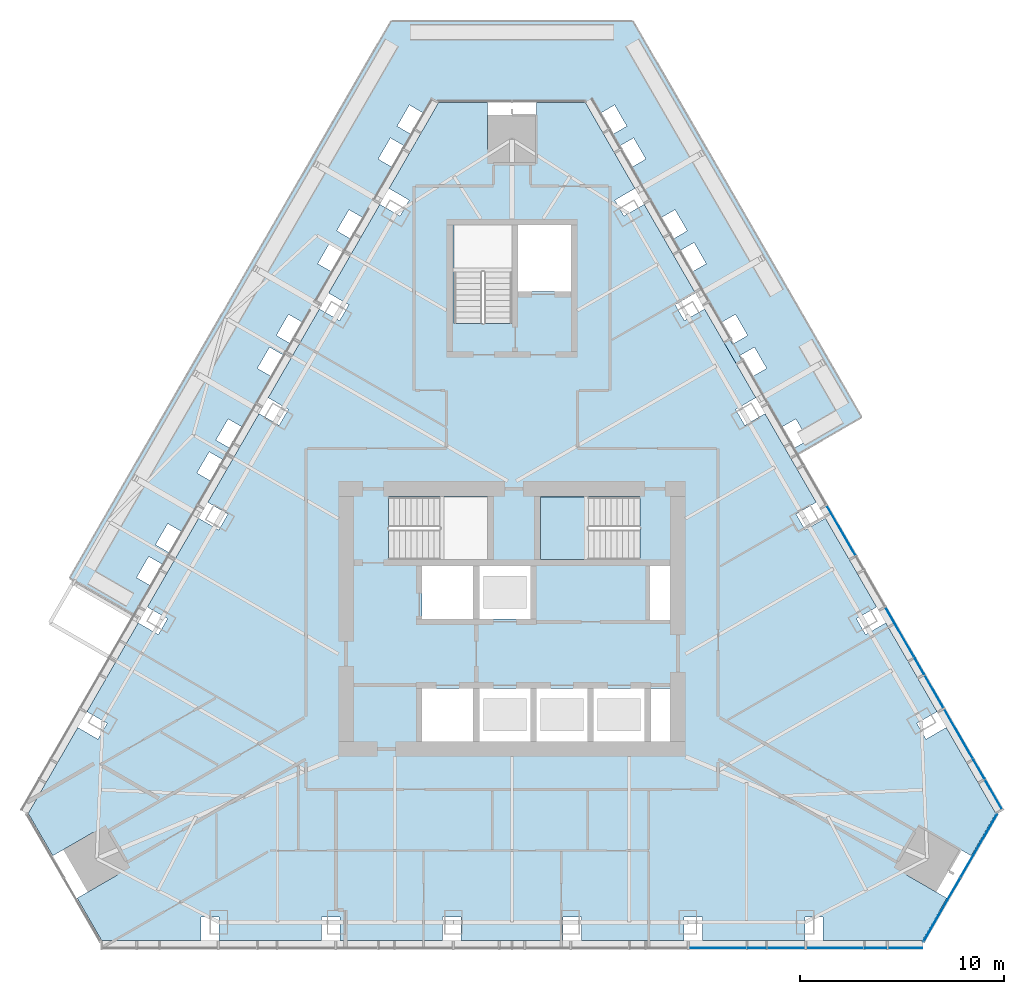
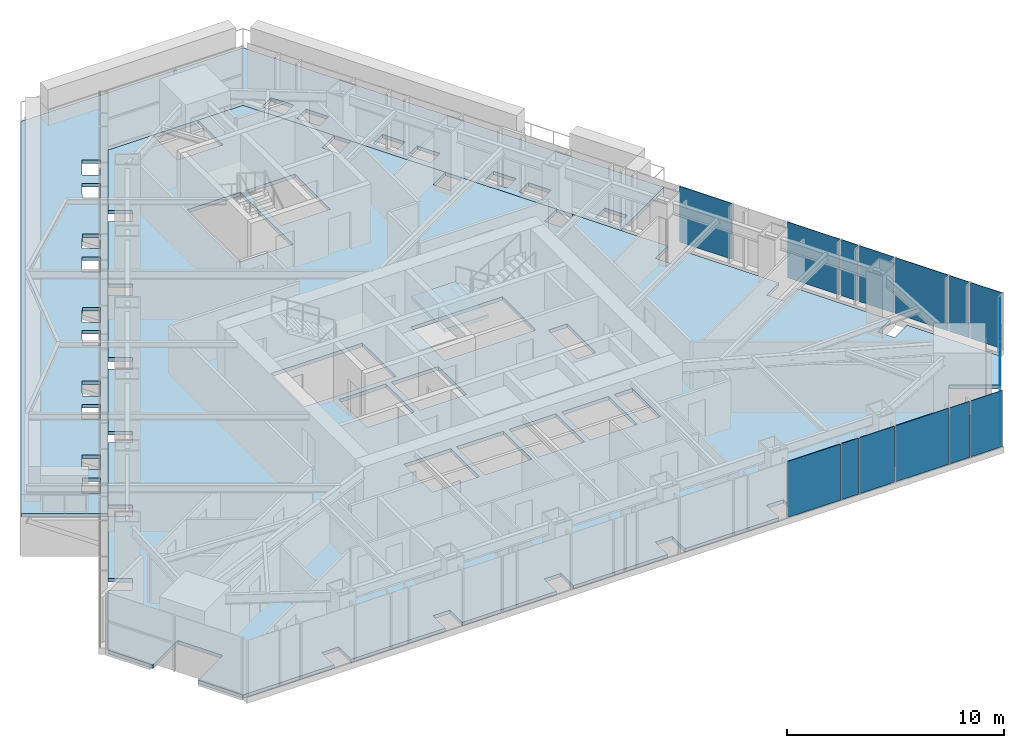
# One storey, part 8 of 16: 18 plates, 3 slabs, 4 elements without a shape of their own.
"""IFC4 building model written with IfcOpenShell, lengths in metres."""

from ifc_helpers import new_model, si_unit, direction, frame, origin, place, context, subcontext, project, spatial, polyline, outline, extrude, material, layer, layer_set, type_object, element, aggregate, save


model = new_model("IFC4")

# Units and contexts
model_context = context("Model", 3, precision=1e-05, world=origin(), true_north=direction((0.0, 1.0)))
body_context = subcontext(model_context, "Body", "Model", "MODEL_VIEW")
ifc_project = project(units=[si_unit("LENGTHUNIT", "METRE"), si_unit("AREAUNIT", "SQUARE_METRE"), si_unit("VOLUMEUNIT", "CUBIC_METRE"), si_unit("PLANEANGLEUNIT", "RADIAN"), si_unit("MASSUNIT", "GRAM", prefix="KILO")], contexts=[model_context])

# Site, building, storey
site_placement = place(None, origin())
site = spatial("IfcSite", under=ifc_project, at=site_placement, CompositionType="ELEMENT")
building_placement = place(site_placement, origin())
building = spatial("IfcBuilding", under=site, at=building_placement, Name="Firuza Gate Tower and Library", CompositionType="ELEMENT")
storey_placement = place(building_placement, frame((0.0, 0.0, 319.60009765625)))
storey = spatial("IfcBuildingStorey", under=building, at=storey_placement, Name="L78", CompositionType="ELEMENT", Elevation=319.60009765625)

# Slab
ifc_material_1 = material(Name="Concrete C40/50", Category="concrete")
ifc_layer_1 = layer(ifc_material_1, 0.199951171875)
ifc_layer_set_1 = layer_set([ifc_layer_1], Name="Composite floor slab 200 C40/50")
slab_type_1 = type_object("IfcSlabType", Name="Composite floor slab 200 C40/50", PredefinedType="FLOOR", material=ifc_layer_set_1)
placement_1 = place(storey_placement, frame((0.0, 0.0, -0.2001953125)))
element("IfcSlab", 1, at=placement_1, inside=storey, type_object=slab_type_1, Name="Floor slab L78", PredefinedType="FLOOR", context=body_context, shape_type="SweptSolid", body=[
    extrude(outline(polyline([(54.89599609375, 59.236083984375), (59.75, 59.236083984375), (59.75, 60.38037109375), (60.64990234375, 60.38037109375), (60.64990234375, 59.236083984375), (65.669921875, 59.236083984375), (65.669921875, 60.38037109375), (66.570068359375, 60.38037109375), (66.570068359375, 59.236083984375), (71.590087890625, 59.236083984375), (71.590087890625, 60.38037109375), (72.489990234375, 60.38037109375), (72.489990234375, 59.236083984375), (77.510009765625, 59.236083984375), (77.510009765625, 60.38037109375), (78.409912109375, 60.38037109375), (78.409912109375, 59.236083984375), (83.429931640625, 59.236083984375), (83.429931640625, 60.38037109375), (84.330078125, 60.38037109375), (84.330078125, 59.236083984375), (89.35009765625, 59.236083984375), (89.35009765625, 60.38037109375), (90.25, 60.38037109375), (90.25, 59.236083984375), (95.10400390625, 59.236083984375), (96.303955078125, 61.314453125), (94.322021484375, 62.458740234375), (95.52197265625, 64.537353515625), (97.50390625, 63.39306640625), (98.7041015625, 65.471435546875), (96.277099609375, 69.675048828125), (95.285888671875, 69.10302734375), (94.8359375, 69.88232421875), (95.826904296875, 70.45458984375), (93.31689453125, 74.802001953125), (92.325927734375, 74.229736328125), (91.8759765625, 75.00927734375), (92.866943359375, 75.581298828125), (90.35693359375, 79.928955078125), (89.365966796875, 79.356689453125), (88.916015625, 80.135986328125), (89.906982421875, 80.708251953125), (87.39697265625, 85.0556640625), (86.406005859375, 84.483642578125), (85.9560546875, 85.262939453125), (86.947021484375, 85.835205078125), (84.43701171875, 90.1826171875), (83.446044921875, 89.6103515625), (82.995849609375, 90.389892578125), (83.987060546875, 90.9619140625), (81.47705078125, 95.3095703125), (80.486083984375, 94.7373046875), (80.035888671875, 95.5166015625), (81.027099609375, 96.0888671875), (78.60009765625, 100.29248046875), (76.199951171875, 100.29248046875), (76.199951171875, 98.00390625), (73.800048828125, 98.00390625), (73.800048828125, 100.29248046875), (71.39990234375, 100.29248046875), (68.972900390625, 96.0888671875), (69.964111328125, 95.5166015625), (69.513916015625, 94.7373046875), (68.52294921875, 95.3095703125), (66.012939453125, 90.9619140625), (67.004150390625, 90.389892578125), (66.553955078125, 89.6103515625), (65.56298828125, 90.1826171875), (63.052978515625, 85.835205078125), (64.0439453125, 85.262939453125), (63.593994140625, 84.483642578125), (62.60302734375, 85.0556640625), (60.093017578125, 80.708251953125), (61.083984375, 80.135986328125), (60.634033203125, 79.356689453125), (59.64306640625, 79.928955078125), (57.133056640625, 75.581298828125), (58.1240234375, 75.00927734375), (57.674072265625, 74.229736328125), (56.68310546875, 74.802001953125), (54.173095703125, 70.45458984375), (55.1640625, 69.88232421875), (54.714111328125, 69.10302734375), (53.722900390625, 69.675048828125), (51.2958984375, 65.471435546875), (52.49609375, 63.39306640625), (54.47802734375, 64.537353515625), (55.677978515625, 62.458740234375), (53.696044921875, 61.314453125), (54.89599609375, 59.236083984375)]), holes=[polyline([(73.10009765625, 69.0), (70.60009765625, 69.0), (70.60009765625, 71.60009765625), (73.10009765625, 71.60009765625), (73.10009765625, 69.0)]), polyline([(75.89990234375, 69.0), (73.39990234375, 69.0), (73.39990234375, 71.60009765625), (75.89990234375, 71.60009765625), (75.89990234375, 69.0)]), polyline([(73.10009765625, 75.0), (70.60009765625, 75.0), (70.60009765625, 77.60009765625), (73.10009765625, 77.60009765625), (73.10009765625, 75.0)]), polyline([(75.89990234375, 75.0), (73.39990234375, 75.0), (73.39990234375, 77.60009765625), (75.89990234375, 77.60009765625), (75.89990234375, 75.0)]), polyline([(68.9404296875, 77.89990234375), (68.9404296875, 80.97998046875), (73.81005859375, 80.97998046875), (73.81005859375, 77.89990234375), (68.9404296875, 77.89990234375)]), polyline([(72.159912109375, 89.470458984375), (72.159912109375, 94.300048828125), (75.0, 94.300048828125), (75.0, 89.470458984375), (72.159912109375, 89.470458984375)]), polyline([(78.699951171875, 69.0), (76.199951171875, 69.0), (76.199951171875, 71.60009765625), (78.699951171875, 71.60009765625), (78.699951171875, 69.0)]), polyline([(81.5, 69.0), (79.0, 69.0), (79.0, 71.60009765625), (81.5, 71.60009765625), (81.5, 69.0)]), polyline([(82.75, 69.0), (81.800048828125, 69.0), (81.800048828125, 71.60009765625), (82.75, 71.60009765625), (82.75, 69.0)]), polyline([(82.75, 74.949951171875), (81.75, 74.949951171875), (81.75, 77.60009765625), (82.75, 77.60009765625), (82.75, 74.949951171875)]), polyline([(81.259521484375, 80.97998046875), (81.259521484375, 77.89990234375), (76.389892578125, 77.89990234375), (76.389892578125, 80.97998046875), (81.259521484375, 80.97998046875)]), polyline([(75.300048828125, 91.050048828125), (75.300048828125, 94.300048828125), (77.89990234375, 94.300048828125), (77.89990234375, 91.050048828125), (75.300048828125, 91.050048828125)])]), origin(), (0.0, 0.0, 1.0), 0.2001953125),
])

# Curtain wall, plates
ifc_material_2 = material(Name="Aluminium 6063-T6", Category="aluminium")
ifc_layer_2 = layer(ifc_material_2, 0.14990234375)
ifc_layer_set_2 = layer_set([ifc_layer_2], Name="Corner curtain wall, chamfers")
curtain_wall_type_1 = type_object("IfcCurtainWallType", Name="Corner curtain wall, chamfers", PredefinedType="NOTDEFINED", material=ifc_layer_set_2)
placement_2 = place(storey_placement, origin())
curtain_wall_1 = element("IfcCurtainWall", 2, at=placement_2, inside=storey, type_object=curtain_wall_type_1, Name="CW4 L78 SE corner", PredefinedType="NOTDEFINED")
ifc_material_3 = material(Name="Fritted glass", Category="glass")
ifc_layer_3 = layer(ifc_material_3, 0.030029296875)
ifc_layer_set_3 = layer_set([ifc_layer_3], Name="Fritted glass unit, corners")
plate_type_1 = type_object("IfcPlateType", Name="Fritted glass unit, corners", PredefinedType="CURTAIN_PANEL", material=ifc_layer_set_3)
plate_1_placement = place(storey_placement, frame((95.18017578125, 59.188232421875, 0.14990234375), z_axis=(0.866016723041, -0.500015035186, 0.0), x_axis=(0.500015035186, 0.866016723041, 0.0)))
plate_1 = element("IfcPlate", 3, at=plate_1_placement, type_object=plate_type_1, Name="Glass unit", PredefinedType="CURTAIN_PANEL", context=body_context, shape_type="SweptSolid", body=[
    extrude(outline(polyline([(0.0, 0.0), (3.5633694106530625, 0.0), (3.5633694106530625, 1.260009765625), (0.0, 1.260009765625), (0.0, 0.0)])), origin(), (0.0, 0.0, -1.0), 0.030029296875),
])
plate_2_placement = place(storey_placement, frame((95.18017578125, 59.188232421875, 1.489990234375), z_axis=(0.866016723041, -0.500015035186, 0.0), x_axis=(0.500015035186, 0.866016723041, 0.0)))
plate_2 = element("IfcPlate", 4, at=plate_2_placement, type_object=plate_type_1, Name="Glass unit", PredefinedType="CURTAIN_PANEL", context=body_context, shape_type="SweptSolid", body=[
    extrude(outline(polyline([(0.0, 0.0), (3.5633694106530625, 0.0), (3.5633694106530625, 0.8449707031249999), (0.0, 0.8449707031249999), (0.0, 0.0)])), origin(), (0.0, 0.0, -1.0), 0.030029296875),
])
plate_3_placement = place(storey_placement, frame((97.001953125, 62.34326171875, 0.14990234375), z_axis=(0.866016723041, -0.500015035186, 0.0), x_axis=(0.500015035186, 0.866016723041, 0.0)))
plate_3 = element("IfcPlate", 5, at=plate_3_placement, type_object=plate_type_1, Name="Glass unit", PredefinedType="CURTAIN_PANEL", context=body_context, shape_type="SweptSolid", body=[
    extrude(outline(polyline([(0.0, 0.0), (3.5633694106530625, 0.0), (3.5633694106530625, 1.5349121093749998), (0.0, 1.5349121093749998), (0.0, 0.0)])), origin(), (0.0, 0.0, -1.0), 0.030029296875),
])

ifc_material_4 = material(Name="Aluminium 6063-T6", Category="aluminium")
ifc_layer_4 = layer(ifc_material_4, 0.14990234375)
ifc_layer_set_4 = layer_set([ifc_layer_4], Name="Unitised curtain wall, residences")
curtain_wall_type_2 = type_object("IfcCurtainWallType", Name="Unitised curtain wall, residences", PredefinedType="NOTDEFINED", material=ifc_layer_set_4)
curtain_wall_2 = element("IfcCurtainWall", 6, at=placement_2, inside=storey, type_object=curtain_wall_type_2, Name="CW3 L78 S face", PredefinedType="NOTDEFINED")
ifc_material_5 = material(Name="Fritted glass", Category="glass")
ifc_layer_5 = layer(ifc_material_5, 0.030029296875)
ifc_layer_set_5 = layer_set([ifc_layer_5], Name="Fritted glass unit, residences")
plate_type_2 = type_object("IfcPlateType", Name="Fritted glass unit, residences", PredefinedType="CURTAIN_PANEL", material=ifc_layer_set_5)
plate_4_placement = place(storey_placement, frame((86.552734375, 58.85595703125, 0.14990234375), z_axis=(0.0, -1.0, 0.0), x_axis=(1.0, 0.0, 0.0)))
plate_4 = element("IfcPlate", 7, at=plate_4_placement, type_object=plate_type_2, Name="Glass unit", PredefinedType="CURTAIN_PANEL", context=body_context, shape_type="SweptSolid", body=[
    extrude(outline(polyline([(0.0, 0.0), (0.871826171875, 0.0), (0.871826171875, 3.14990234375), (0.0, 3.14990234375), (0.0, 0.0)])), origin(), (0.0, 0.0, -1.0), 0.030029296875),
])
plate_5_placement = place(storey_placement, frame((92.30908203125, 58.85595703125, 0.14990234375), z_axis=(0.0, -1.0, 0.0), x_axis=(1.0, 0.0, 0.0)))
plate_5 = element("IfcPlate", 8, at=plate_5_placement, type_object=plate_type_2, Name="Glass unit", PredefinedType="CURTAIN_PANEL", context=body_context, shape_type="SweptSolid", body=[
    extrude(outline(polyline([(0.0, 0.0), (1.035400390625, 0.0), (1.035400390625, 3.14990234375), (0.0, 3.14990234375), (0.0, 0.0)])), origin(), (0.0, 0.0, -1.0), 0.030029296875),
])

curtain_wall_3 = element("IfcCurtainWall", 9, at=placement_2, inside=storey, type_object=curtain_wall_type_2, Name="CW3 L78 E face", PredefinedType="NOTDEFINED")
plate_6_placement = place(storey_placement, frame((98.1533203125, 67.185302734375, 0.14990234375), z_axis=(0.866028486751, 0.499994660107, 0.0), x_axis=(-0.499994660107, 0.866028486751, 0.0)))
plate_6 = element("IfcPlate", 10, at=plate_6_placement, type_object=plate_type_2, Name="Glass unit", PredefinedType="CURTAIN_PANEL", context=body_context, shape_type="SweptSolid", body=[
    extrude(outline(polyline([(0.0, 0.0), (1.0351673053654933, 0.0), (1.0351673053654933, 3.14990234375), (0.0, 3.14990234375), (0.0, 0.0)])), origin(), (0.0, 0.0, -1.0), 0.030029296875),
])
plate_7_placement = place(storey_placement, frame((95.193359375, 72.31201171875, 0.14990234375), z_axis=(0.86604566135, 0.499964911226, 0.0), x_axis=(-0.499964911226, 0.86604566135, 0.0)))
plate_7 = element("IfcPlate", 11, at=plate_7_placement, type_object=plate_type_2, Name="Glass unit", PredefinedType="CURTAIN_PANEL", context=body_context, shape_type="SweptSolid", body=[
    extrude(outline(polyline([(0.0, 0.0), (0.871643201033186, 0.0), (0.871643201033186, 3.14990234375), (0.0, 3.14990234375), (0.0, 0.0)])), origin(), (0.0, 0.0, -1.0), 0.030029296875),
])

# Plate
ifc_material_6 = material(Name="Glazed ceramic tile")
ifc_layer_6 = layer(ifc_material_6, 0.030029296875)
ifc_layer_set_6 = layer_set([ifc_layer_6], Name="Opaque ceramic panel, corners")
plate_type_3 = type_object("IfcPlateType", Name="Opaque ceramic panel, corners", PredefinedType="CURTAIN_PANEL", material=ifc_layer_set_6)
plate_8_placement = place(storey_placement, frame((95.18017578125, 59.188232421875, 2.414794921875), z_axis=(0.866016723041, -0.500015035186, 0.0), x_axis=(0.500015035186, 0.866016723041, 0.0)))
plate_8 = element("IfcPlate", 12, at=plate_8_placement, type_object=plate_type_3, Name="Opaque ceramic panel", PredefinedType="CURTAIN_PANEL", context=body_context, shape_type="SweptSolid", body=[
    extrude(outline(polyline([(0.0, 0.0), (3.5633694106530625, 0.0), (3.5633694106530625, 0.8850097656249999), (0.0, 0.8850097656249999), (0.0, 0.0)])), origin(), (0.0, 0.0, -1.0), 0.030029296875),
])

plate_9_placement = place(storey_placement, frame((97.001953125, 62.34326171875, 1.764892578125), z_axis=(0.866016723041, -0.500015035186, 0.0), x_axis=(0.500015035186, 0.866016723041, 0.0)))
plate_9 = element("IfcPlate", 13, at=plate_9_placement, type_object=plate_type_3, Name="Opaque ceramic panel", PredefinedType="CURTAIN_PANEL", context=body_context, shape_type="SweptSolid", body=[
    extrude(outline(polyline([(0.0, 0.0), (3.5633694106530625, 0.0), (3.5633694106530625, 1.5349121093749998), (0.0, 1.5349121093749998), (0.0, 0.0)])), origin(), (0.0, 0.0, -1.0), 0.030029296875),
])

aggregate(curtain_wall_1, [plate_1, plate_2, plate_8, plate_3, plate_9])

ifc_material_7 = material(Name="Glazed ceramic tile")
ifc_layer_7 = layer(ifc_material_7, 0.030029296875)
ifc_layer_set_7 = layer_set([ifc_layer_7], Name="Opaque ceramic panel, residences")
plate_type_4 = type_object("IfcPlateType", Name="Opaque ceramic panel, residences", PredefinedType="CURTAIN_PANEL", material=ifc_layer_set_7)
plate_10_placement = place(storey_placement, frame((83.674560546875, 58.85595703125, 0.14990234375), z_axis=(0.0, -1.0, 0.0), x_axis=(1.0, 0.0, 0.0)))
plate_10 = element("IfcPlate", 14, at=plate_10_placement, type_object=plate_type_4, Name="Opaque ceramic panel", PredefinedType="CURTAIN_PANEL", context=body_context, shape_type="SweptSolid", body=[
    extrude(outline(polyline([(0.0, 0.0), (2.798095703125, 0.0), (2.798095703125, 3.14990234375), (0.0, 3.14990234375), (0.0, 0.0)])), origin(), (0.0, 0.0, -1.0), 0.030029296875),
])

plate_11_placement = place(storey_placement, frame((87.50439453125, 58.85595703125, 0.14990234375), z_axis=(0.0, -1.0, 0.0), x_axis=(1.0, 0.0, 0.0)))
plate_11 = element("IfcPlate", 15, at=plate_11_placement, type_object=plate_type_4, Name="Opaque ceramic panel", PredefinedType="CURTAIN_PANEL", context=body_context, shape_type="SweptSolid", body=[
    extrude(outline(polyline([(0.0, 0.0), (1.846435546875, 0.0), (1.846435546875, 3.14990234375), (0.0, 3.14990234375), (0.0, 0.0)])), origin(), (0.0, 0.0, -1.0), 0.030029296875),
])

plate_12_placement = place(storey_placement, frame((89.430908203125, 58.85595703125, 0.14990234375), z_axis=(0.0, -1.0, 0.0), x_axis=(1.0, 0.0, 0.0)))
plate_12 = element("IfcPlate", 16, at=plate_12_placement, type_object=plate_type_4, Name="Opaque ceramic panel", PredefinedType="CURTAIN_PANEL", context=body_context, shape_type="SweptSolid", body=[
    extrude(outline(polyline([(0.0, 0.0), (2.798095703125, 0.0), (2.798095703125, 3.14990234375), (0.0, 3.14990234375), (0.0, 0.0)])), origin(), (0.0, 0.0, -1.0), 0.030029296875),
])

plate_13_placement = place(storey_placement, frame((93.424560546875, 58.85595703125, 0.14990234375), z_axis=(0.0, -1.0, 0.0), x_axis=(1.0, 0.0, 0.0)))
plate_13 = element("IfcPlate", 17, at=plate_13_placement, type_object=plate_type_4, Name="Opaque ceramic panel", PredefinedType="CURTAIN_PANEL", context=body_context, shape_type="SweptSolid", body=[
    extrude(outline(polyline([(0.0, 0.0), (1.682861328125, 0.0), (1.682861328125, 3.14990234375), (0.0, 3.14990234375), (0.0, 0.0)])), origin(), (0.0, 0.0, -1.0), 0.030029296875),
])

aggregate(curtain_wall_2, [plate_10, plate_4, plate_11, plate_12, plate_5, plate_13])

plate_14_placement = place(storey_placement, frame((99.03466796875, 65.658447265625, 0.14990234375), z_axis=(0.866074466908, 0.499915010547, 0.0), x_axis=(-0.499915010547, 0.866074466908, 0.0)))
plate_14 = element("IfcPlate", 18, at=plate_14_placement, type_object=plate_type_4, Name="Opaque ceramic panel", PredefinedType="CURTAIN_PANEL", context=body_context, shape_type="SweptSolid", body=[
    extrude(outline(polyline([(0.0, 0.0), (1.6829032455530002, 0.0), (1.6829032455530002, 3.14990234375), (0.0, 3.14990234375), (0.0, 0.0)])), origin(), (0.0, 0.0, -1.0), 0.030029296875),
])

plate_15_placement = place(storey_placement, frame((97.595703125, 68.151123046875, 0.14990234375), z_axis=(0.866017045845, 0.500014476097, 0.0), x_axis=(-0.500014476097, 0.866017045845, 0.0)))
plate_15 = element("IfcPlate", 19, at=plate_15_placement, type_object=plate_type_4, Name="Opaque ceramic panel", PredefinedType="CURTAIN_PANEL", context=body_context, shape_type="SweptSolid", body=[
    extrude(outline(polyline([(0.0, 0.0), (2.7982588280189464, 0.0), (2.7982588280189464, 3.14990234375), (0.0, 3.14990234375), (0.0, 0.0)])), origin(), (0.0, 0.0, -1.0), 0.030029296875),
])

plate_16_placement = place(storey_placement, frame((96.156494140625, 70.643798828125, 0.14990234375), z_axis=(0.866062288296, 0.499936108709, 0.0), x_axis=(-0.499936108709, 0.866062288296, 0.0)))
plate_16 = element("IfcPlate", 20, at=plate_16_placement, type_object=plate_type_4, Name="Opaque ceramic panel", PredefinedType="CURTAIN_PANEL", context=body_context, shape_type="SweptSolid", body=[
    extrude(outline(polyline([(0.0, 0.0), (1.8464273475022068, 0.0), (1.8464273475022068, 3.149902343750001), (0.0, 3.149902343750001), (0.0, 0.0)])), origin(), (0.0, 0.0, -1.0), 0.030029296875),
])

plate_17_placement = place(storey_placement, frame((94.717529296875, 73.13623046875, 0.14990234375), z_axis=(0.866017045845, 0.500014476097, 0.0), x_axis=(-0.500014476097, 0.866017045845, 0.0)))
plate_17 = element("IfcPlate", 21, at=plate_17_placement, type_object=plate_type_4, Name="Opaque ceramic panel", PredefinedType="CURTAIN_PANEL", context=body_context, shape_type="SweptSolid", body=[
    extrude(outline(polyline([(0.0, 0.0), (2.7982588280189464, 0.0), (2.7982588280189464, 3.14990234375), (0.0, 3.14990234375), (0.0, 0.0)])), origin(), (0.0, 0.0, -1.0), 0.030029296875),
])

plate_18_placement = place(storey_placement, frame((91.83935546875, 78.12158203125, 0.14990234375), z_axis=(0.865995230276, 0.500052258409, 0.0), x_axis=(-0.500052258409, 0.865995230276, 0.0)))
plate_18 = element("IfcPlate", 22, at=plate_18_placement, type_object=plate_type_4, Name="Opaque ceramic panel", PredefinedType="CURTAIN_PANEL", context=body_context, shape_type="SweptSolid", body=[
    extrude(outline(polyline([(0.0, 0.0), (2.798047400739046, 0.0), (2.798047400739046, 3.14990234375), (0.0, 3.14990234375), (0.0, 0.0)])), origin(), (0.0, 0.0, -1.0), 0.030029296875),
])

aggregate(curtain_wall_3, [plate_14, plate_6, plate_15, plate_16, plate_7, plate_17, plate_18])

# Slab
ifc_material_8 = material(Name="Concrete C40/50", Category="concrete")
ifc_layer_8 = layer(ifc_material_8, 0.199951171875)
ifc_layer_set_8 = layer_set([ifc_layer_8], Name="Planter tray slab 200 C40/50")
slab_type_2 = type_object("IfcSlabType", Name="Planter tray slab 200 C40/50", PredefinedType="FLOOR", material=ifc_layer_set_8)
element("IfcSlab", 23, at=placement_1, inside=storey, type_object=slab_type_2, Name="Planter tray L78 band 9", PredefinedType="FLOOR", context=body_context, shape_type="SweptSolid", body=[
    extrude(outline(polyline([(88.652099609375, 82.882080078125), (92.1162109375, 84.882080078125), (80.909423828125, 104.29248046875), (69.090576171875, 104.29248046875), (53.333251953125, 77.0), (56.79736328125, 75.0), (71.39990234375, 100.29248046875), (78.60009765625, 100.29248046875), (88.652099609375, 82.882080078125)]), holes=[polyline([(57.9365234375, 77.634521484375), (57.33642578125, 76.59521484375), (56.600341796875, 77.020263671875), (57.200439453125, 78.059326171875), (57.9365234375, 77.634521484375)]), polyline([(58.86669921875, 79.24560546875), (58.266845703125, 78.20654296875), (57.53076171875, 78.631591796875), (58.130615234375, 79.670654296875), (58.86669921875, 79.24560546875)]), polyline([(60.160400390625, 83.186279296875), (60.896484375, 82.76123046875), (60.29638671875, 81.721923828125), (59.560302734375, 82.14697265625), (60.160400390625, 83.186279296875)]), polyline([(61.090576171875, 84.797607421875), (61.826904296875, 84.37255859375), (61.226806640625, 83.333251953125), (60.49072265625, 83.75830078125), (61.090576171875, 84.797607421875)]), polyline([(63.120361328125, 88.313232421875), (63.8564453125, 87.88818359375), (63.256591796875, 86.848876953125), (62.5205078125, 87.27392578125), (63.120361328125, 88.313232421875)]), polyline([(64.786865234375, 89.49951171875), (64.186767578125, 88.460205078125), (63.45068359375, 88.88525390625), (64.05078125, 89.924560546875), (64.786865234375, 89.49951171875)]), polyline([(66.81640625, 93.014892578125), (66.216552734375, 91.975830078125), (65.48046875, 92.40087890625), (66.080322265625, 93.43994140625), (66.81640625, 93.014892578125)]), polyline([(84.51953125, 92.40087890625), (83.783447265625, 91.975830078125), (83.18359375, 93.014892578125), (83.919677734375, 93.43994140625), (84.51953125, 92.40087890625)]), polyline([(67.0107421875, 95.05126953125), (67.746826171875, 94.626220703125), (67.146728515625, 93.587158203125), (66.41064453125, 94.01220703125), (67.0107421875, 95.05126953125)]), polyline([(83.58935546875, 94.01220703125), (82.853271484375, 93.587158203125), (82.253173828125, 94.626220703125), (82.9892578125, 95.05126953125), (83.58935546875, 94.01220703125)]), polyline([(69.776611328125, 98.141845703125), (69.176513671875, 97.1025390625), (68.4404296875, 97.527587890625), (69.040283203125, 98.56689453125), (69.776611328125, 98.141845703125)]), polyline([(80.823486328125, 97.1025390625), (80.223388671875, 98.141845703125), (80.959716796875, 98.56689453125), (81.5595703125, 97.527587890625), (80.823486328125, 97.1025390625)]), polyline([(69.970703125, 100.17822265625), (70.706787109375, 99.753173828125), (70.106689453125, 98.7138671875), (69.37060546875, 99.138916015625), (69.970703125, 100.17822265625)]), polyline([(80.62939453125, 99.138916015625), (79.893310546875, 98.7138671875), (79.293212890625, 99.753173828125), (80.029296875, 100.17822265625), (80.62939453125, 99.138916015625)]), polyline([(89.50927734375, 83.75830078125), (88.773193359375, 83.333251953125), (88.173095703125, 84.37255859375), (88.909423828125, 84.797607421875), (89.50927734375, 83.75830078125)]), polyline([(86.743408203125, 86.848876953125), (86.1435546875, 87.88818359375), (86.879638671875, 88.313232421875), (87.4794921875, 87.27392578125), (86.743408203125, 86.848876953125)]), polyline([(85.813232421875, 88.460205078125), (85.213134765625, 89.49951171875), (85.94921875, 89.924560546875), (86.54931640625, 88.88525390625), (85.813232421875, 88.460205078125)])]), origin(), (0.0, 0.0, 1.0), 0.2001953125),
])

# Stair, slab
ifc_material_9 = material(Name="Concrete C35/45", Category="concrete")
stair_type = type_object("IfcStairType", Name="Exit stair ST8", PredefinedType="HALF_TURN_STAIR", material=ifc_material_9)
stair = element("IfcStair", 24, at=placement_2, inside=storey, type_object=stair_type, Name="L78 Stair ST2", PredefinedType="HALF_TURN_STAIR")
ifc_material_10 = material(Name="Concrete C35/45", Category="concrete")
ifc_layer_9 = layer(ifc_material_10, 0.199951171875)
ifc_layer_set_9 = layer_set([ifc_layer_9], Name="Stair landing 200")
slab_type_3 = type_object("IfcSlabType", Name="Stair landing 200", PredefinedType="LANDING", material=ifc_layer_set_9)
slab_3_placement = place(storey_placement, frame((0.0, 0.0, 1.5498046875)))
slab_3 = element("IfcSlab", 25, at=slab_3_placement, type_object=slab_type_3, Name="ST2 landing 1", PredefinedType="LANDING", context=body_context, shape_type="SweptSolid", body=[
    extrude(outline(polyline([(78.739990234375, 80.97998046875), (76.389892578125, 80.97998046875), (76.389892578125, 77.89990234375), (78.739990234375, 77.89990234375), (78.739990234375, 80.97998046875)])), origin(), (0.0, 0.0, 1.0), 0.2001953125),
])
aggregate(stair, [slab_3])

save(model, "model.ifc")
